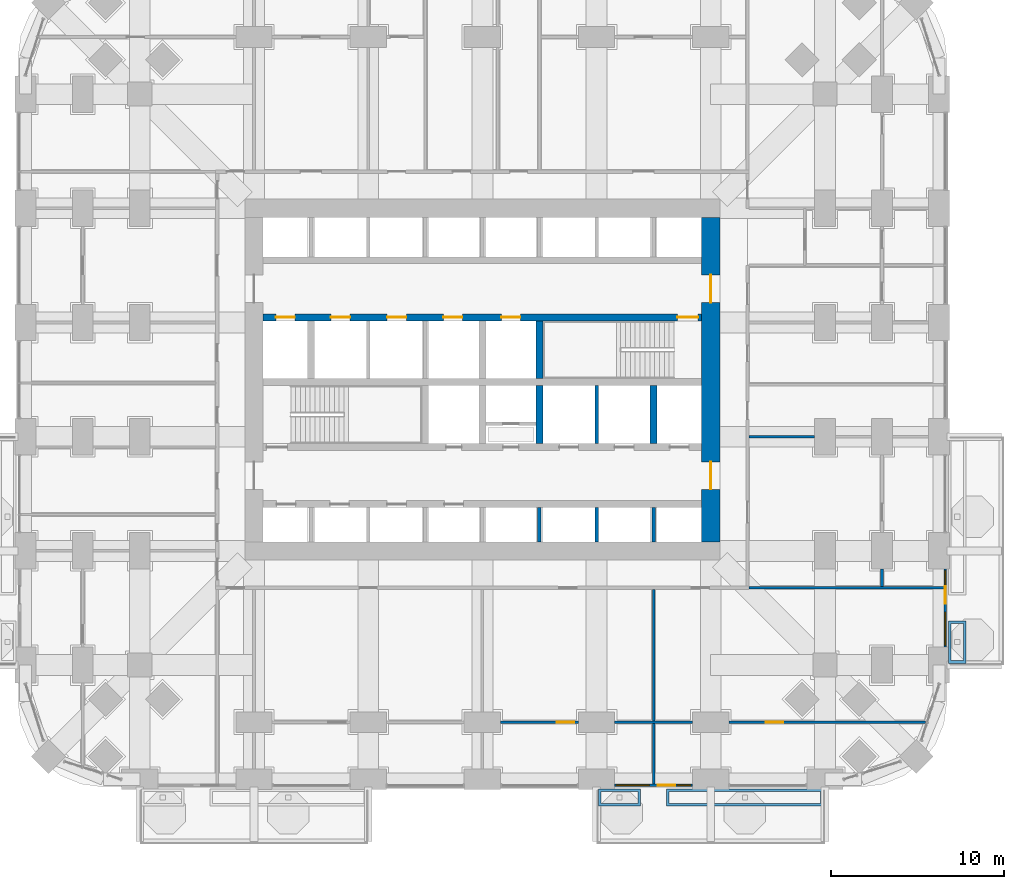
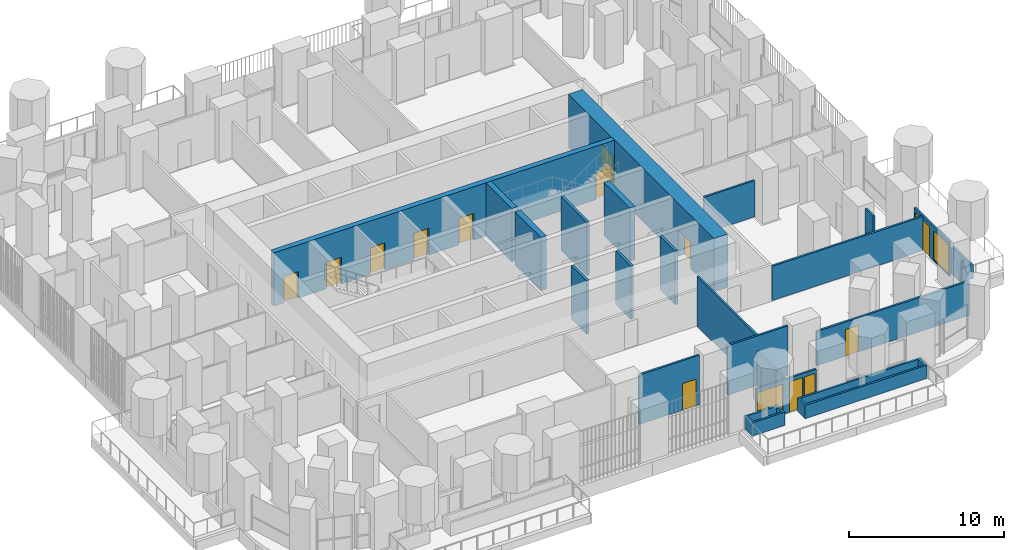
# One storey, part 20 of 27: 22 walls, 12 doors, 4 windows, 16 openings.
"""IFC4 building model written with IfcOpenShell, lengths in metres."""

from ifc_helpers import new_model, si_unit, direction, frame, frame_2d, origin, place, context, subcontext, project, spatial, polyline, rectangle, outline, extrude, material, layer, layer_set, type_object, element, fill, save


model = new_model("IFC4")

# Units and contexts
model_context = context("Model", 3, precision=1e-05, world=origin(), true_north=direction((0.0, 1.0)))
body_context = subcontext(model_context, "Body", "Model", "MODEL_VIEW")
ifc_project = project(units=[si_unit("LENGTHUNIT", "METRE"), si_unit("AREAUNIT", "SQUARE_METRE"), si_unit("VOLUMEUNIT", "CUBIC_METRE"), si_unit("PLANEANGLEUNIT", "RADIAN"), si_unit("MASSUNIT", "GRAM", prefix="KILO")], contexts=[model_context])

# Site, building, storey
site_placement = place(None, origin())
site = spatial("IfcSite", under=ifc_project, at=site_placement, CompositionType="ELEMENT")
building_placement = place(site_placement, origin())
building = spatial("IfcBuilding", under=site, at=building_placement, Name="Cobogo Forest Laboratory Tower", CompositionType="ELEMENT")
storey_placement = place(building_placement, frame((0.0, 0.0, 29.699951171875)))
storey = spatial("IfcBuildingStorey", under=building, at=storey_placement, Name="L06", CompositionType="ELEMENT", Elevation=29.699951171875)

# Wall, openings, doors
ifc_material_1 = material(Name="Concrete HA-50 (C50/60)", Category="concrete")
ifc_layer_1 = layer(ifc_material_1, 0.39990234375)
ifc_layer_set_1 = layer_set([ifc_layer_1], Name="CI400 core inner wall 400")
wall_type_1 = type_object("IfcWallType", Name="CI400 core inner wall 400", PredefinedType="SHEAR", material=ifc_layer_set_1)
wall_1_placement = place(storey_placement, frame((13.72509765625, 26.699951171875, 0.0), z_axis=(0.0, 0.0, 1.0), x_axis=(1.0, 0.0, 0.0)))
wall_1 = element("IfcWall", 1, at=wall_1_placement, inside=storey, type_object=wall_type_1, Name="Core wall CI-26.7 L06", PredefinedType="SHEAR", context=body_context, shape_type="SweptSolid", body=[
    extrude(rectangle(XDim=25.349853515625, YDim=0.39990234375, at=frame_2d((12.6748046875, 0.0))), origin(), (0.0, 0.0, 1.0), 4.199951171875),
])
opening_1_placement = place(wall_1_placement, frame((23.949951171875, 0.0, 0.0)))
opening_1 = element("IfcOpeningElement", 2, at=opening_1_placement, cuts=wall_1, Name="Opening L06-D28", PredefinedType="OPENING", context=body_context, shape_type="SweptSolid", body=[
    extrude(rectangle(XDim=1.199951171875, YDim=2.10009765625, at=frame_2d((0.60009765625, 1.050048828125))), frame((0.0, 0.2099609375, 0.0), z_axis=(0.0, -1.0, 0.0), x_axis=(1.0, 0.0, 0.0)), (0.0, 0.0, 1.0), 0.419921875),
])
opening_2_placement = place(wall_1_placement, frame((0.737548828125, 0.0, 0.0)))
opening_2 = element("IfcOpeningElement", 3, at=opening_2_placement, cuts=wall_1, Name="Opening L06-LD-FL1", PredefinedType="OPENING", context=body_context, shape_type="SweptSolid", body=[
    extrude(rectangle(XDim=1.10009765625, YDim=2.10009765625, at=frame_2d((0.550048828125, 1.050048828125))), frame((0.0, 0.2099609375, 0.0), z_axis=(0.0, -1.0, 0.0), x_axis=(1.0, 0.0, 0.0)), (0.0, 0.0, 1.0), 0.419921875),
])
opening_3_placement = place(wall_1_placement, frame((3.925048828125, 0.0, 0.0)))
opening_3 = element("IfcOpeningElement", 4, at=opening_3_placement, cuts=wall_1, Name="Opening L06-LD-LS3", PredefinedType="OPENING", context=body_context, shape_type="SweptSolid", body=[
    extrude(rectangle(XDim=1.10009765625, YDim=2.10009765625, at=frame_2d((0.550048828125, 1.050048828125))), frame((0.0, 0.2099609375, 0.0), z_axis=(0.0, -1.0, 0.0), x_axis=(1.0, 0.0, 0.0)), (0.0, 0.0, 1.0), 0.419921875),
])
opening_4_placement = place(wall_1_placement, frame((7.175048828125, 0.0, 0.0)))
opening_4 = element("IfcOpeningElement", 5, at=opening_4_placement, cuts=wall_1, Name="Opening L06-LD-LS4", PredefinedType="OPENING", context=body_context, shape_type="SweptSolid", body=[
    extrude(rectangle(XDim=1.10009765625, YDim=2.10009765625, at=frame_2d((0.550048828125, 1.050048828125))), frame((0.0, 0.2099609375, 0.0), z_axis=(0.0, -1.0, 0.0), x_axis=(1.0, 0.0, 0.0)), (0.0, 0.0, 1.0), 0.419921875),
])
opening_5_placement = place(wall_1_placement, frame((10.425048828125, 0.0, 0.0)))
opening_5 = element("IfcOpeningElement", 6, at=opening_5_placement, cuts=wall_1, Name="Opening L06-LD-LS5", PredefinedType="OPENING", context=body_context, shape_type="SweptSolid", body=[
    extrude(rectangle(XDim=1.10009765625, YDim=2.10009765625, at=frame_2d((0.550048828125, 1.050048828125))), frame((0.0, 0.2099609375, 0.0), z_axis=(0.0, -1.0, 0.0), x_axis=(1.0, 0.0, 0.0)), (0.0, 0.0, 1.0), 0.419921875),
])
opening_6_placement = place(wall_1_placement, frame((13.77490234375, 0.0, 0.0)))
opening_6 = element("IfcOpeningElement", 7, at=opening_6_placement, cuts=wall_1, Name="Opening L06-LD-LS6", PredefinedType="OPENING", context=body_context, shape_type="SweptSolid", body=[
    extrude(rectangle(XDim=1.10009765625, YDim=2.10009765625, at=frame_2d((0.550048828125, 1.050048828125))), frame((0.0, 0.2099609375, 0.0), z_axis=(0.0, -1.0, 0.0), x_axis=(1.0, 0.0, 0.0)), (0.0, 0.0, 1.0), 0.419921875),
])
ifc_material_2 = material(Name="Steel fire door", Category="steel")
door_type_1 = type_object("IfcDoorType", Name="DS1 protected stair door 1200 EI2 60", OperationType="SINGLE_SWING_LEFT", PredefinedType="DOOR", material=ifc_material_2)
door_1_placement = place(opening_1_placement, origin())
door_1 = element("IfcDoor", 8, at=door_1_placement, inside=storey, type_object=door_type_1, Name="Door L06-ST2", OperationType="SINGLE_SWING_RIGHT", OverallHeight=2.10009765625, OverallWidth=1.199951171875, PredefinedType="DOOR", context=body_context, shape_type="SweptSolid", body=[
    extrude(rectangle(XDim=1.199951171875, YDim=2.10009765625, at=frame_2d((0.60009765625, 1.050048828125))), frame((0.0, 0.02490234375, 0.0), z_axis=(0.0, -1.0, 0.0), x_axis=(1.0, 0.0, 0.0)), (0.0, 0.0, 1.0), 0.050048828125),
])
fill(opening_1, door_1)
ifc_material_3 = material(Name="Stainless steel lift door", Category="steel")
door_type_2 = type_object("IfcDoorType", Name="LD lift landing door 1100", OperationType="DOUBLE_DOOR_SLIDING", PredefinedType="DOOR", material=ifc_material_3)
door_2_placement = place(opening_2_placement, origin())
door_2 = element("IfcDoor", 9, at=door_2_placement, inside=storey, type_object=door_type_2, Name="Lift landing door FL1 L06", OperationType="DOUBLE_DOOR_SLIDING", OverallHeight=2.10009765625, OverallWidth=1.10009765625, PredefinedType="DOOR", context=body_context, shape_type="SweptSolid", body=[
    extrude(rectangle(XDim=1.10009765625, YDim=2.10009765625, at=frame_2d((0.550048828125, 1.050048828125))), frame((0.0, 0.02490234375, 0.0), z_axis=(0.0, -1.0, 0.0), x_axis=(1.0, 0.0, 0.0)), (0.0, 0.0, 1.0), 0.050048828125),
])
fill(opening_2, door_2)
door_3_placement = place(opening_3_placement, origin())
door_3 = element("IfcDoor", 10, at=door_3_placement, inside=storey, type_object=door_type_2, Name="Lift landing door LS3 L06", OperationType="DOUBLE_DOOR_SLIDING", OverallHeight=2.10009765625, OverallWidth=1.10009765625, PredefinedType="DOOR", context=body_context, shape_type="SweptSolid", body=[
    extrude(rectangle(XDim=1.10009765625, YDim=2.10009765625, at=frame_2d((0.550048828125, 1.050048828125))), frame((0.0, 0.02490234375, 0.0), z_axis=(0.0, -1.0, 0.0), x_axis=(1.0, 0.0, 0.0)), (0.0, 0.0, 1.0), 0.050048828125),
])
fill(opening_3, door_3)
door_4_placement = place(opening_4_placement, origin())
door_4 = element("IfcDoor", 11, at=door_4_placement, inside=storey, type_object=door_type_2, Name="Lift landing door LS4 L06", OperationType="DOUBLE_DOOR_SLIDING", OverallHeight=2.10009765625, OverallWidth=1.10009765625, PredefinedType="DOOR", context=body_context, shape_type="SweptSolid", body=[
    extrude(rectangle(XDim=1.10009765625, YDim=2.10009765625, at=frame_2d((0.550048828125, 1.050048828125))), frame((0.0, 0.02490234375, 0.0), z_axis=(0.0, -1.0, 0.0), x_axis=(1.0, 0.0, 0.0)), (0.0, 0.0, 1.0), 0.050048828125),
])
fill(opening_4, door_4)
door_5_placement = place(opening_5_placement, origin())
door_5 = element("IfcDoor", 12, at=door_5_placement, inside=storey, type_object=door_type_2, Name="Lift landing door LS5 L06", OperationType="DOUBLE_DOOR_SLIDING", OverallHeight=2.10009765625, OverallWidth=1.10009765625, PredefinedType="DOOR", context=body_context, shape_type="SweptSolid", body=[
    extrude(rectangle(XDim=1.10009765625, YDim=2.10009765625, at=frame_2d((0.550048828125, 1.050048828125))), frame((0.0, 0.02490234375, 0.0), z_axis=(0.0, -1.0, 0.0), x_axis=(1.0, 0.0, 0.0)), (0.0, 0.0, 1.0), 0.050048828125),
])
fill(opening_5, door_5)
door_6_placement = place(opening_6_placement, origin())
door_6 = element("IfcDoor", 13, at=door_6_placement, inside=storey, type_object=door_type_2, Name="Lift landing door LS6 L06", OperationType="DOUBLE_DOOR_SLIDING", OverallHeight=2.10009765625, OverallWidth=1.10009765625, PredefinedType="DOOR", context=body_context, shape_type="SweptSolid", body=[
    extrude(rectangle(XDim=1.10009765625, YDim=2.10009765625, at=frame_2d((0.550048828125, 1.050048828125))), frame((0.0, 0.02490234375, 0.0), z_axis=(0.0, -1.0, 0.0), x_axis=(1.0, 0.0, 0.0)), (0.0, 0.0, 1.0), 0.050048828125),
])
fill(opening_6, door_6)

# Walls
for number, where, z_axis, x_axis, name in (
    (14, (29.699951171875, 19.39990234375, 0.0), (0.0, 0.0, 1.0), (0.0, 1.0, 0.0), "Core wall CX-29.7S L06"),
    (15, (36.300048828125, 19.39990234375, 0.0), (0.0, 0.0, 1.0), (0.0, 1.0, 0.0), "Core wall CX-36.3 L06"),
    (16, (29.699951171875, 23.14990234375, 0.0), (0.0, 0.0, 1.0), (0.0, 1.0, 0.0), "Core wall CX-29.7N L06"),
):
    element("IfcWall", number, at=place(storey_placement, frame(where, z_axis=z_axis, x_axis=x_axis)), inside=storey, type_object=wall_type_1, Name=name, PredefinedType="SHEAR", context=body_context, shape_type="SweptSolid", body=[
        extrude(rectangle(XDim=3.35009765625, YDim=0.39990234375, at=frame_2d((1.675048828125, 0.0))), origin(), (0.0, 0.0, 1.0), 4.199951171875),
    ])

# Wall, openings, doors
ifc_layer_2 = layer(ifc_material_1, 1.050048828125)
ifc_layer_set_2 = layer_set([ifc_layer_2], Name="CW1050 core outer wall 1050")
wall_type_2 = type_object("IfcWallType", Name="CW1050 core outer wall 1050", PredefinedType="SHEAR", material=ifc_layer_set_2)
wall_2_placement = place(storey_placement, frame((39.60009765625, 13.72509765625, 0.0), z_axis=(0.0, 0.0, 1.0), x_axis=(0.0, 1.0, 0.0)))
wall_2 = element("IfcWall", 17, at=wall_2_placement, inside=storey, type_object=wall_type_2, Name="Core wall CO-E L06", PredefinedType="SHEAR", context=body_context, shape_type="SweptSolid", body=[
    extrude(rectangle(XDim=18.75, YDim=1.050048828125, at=frame_2d((9.375, 0.0))), origin(), (0.0, 0.0, 1.0), 4.199951171875),
])
opening_7_placement = place(wall_2_placement, frame((3.02490234375, 0.0, 0.0)))
opening_7 = element("IfcOpeningElement", 18, at=opening_7_placement, cuts=wall_2, Name="Opening L06-D19", PredefinedType="OPENING", context=body_context, shape_type="SweptSolid", body=[
    extrude(rectangle(XDim=1.60009765625, YDim=2.10009765625, at=frame_2d((0.800048828125, 1.050048828125))), frame((0.0, 0.534912109375, 0.0), z_axis=(0.0, -1.0, 0.0), x_axis=(1.0, 0.0, 0.0)), (0.0, 0.0, 1.0), 1.070068359375),
])
opening_8_placement = place(wall_2_placement, frame((13.824951171875, 0.0, 0.0)))
opening_8 = element("IfcOpeningElement", 19, at=opening_8_placement, cuts=wall_2, Name="Opening L06-D32", PredefinedType="OPENING", context=body_context, shape_type="SweptSolid", body=[
    extrude(rectangle(XDim=1.60009765625, YDim=2.10009765625, at=frame_2d((0.800048828125, 1.050048828125))), frame((0.0, 0.534912109375, 0.0), z_axis=(0.0, -1.0, 0.0), x_axis=(1.0, 0.0, 0.0)), (0.0, 0.0, 1.0), 1.070068359375),
])
door_type_3 = type_object("IfcDoorType", Name="DS2 protected lobby door pair 1600 EI2 60", OperationType="DOUBLE_DOOR_DOUBLE_SWING", PredefinedType="DOOR", material=ifc_material_2)
door_7_placement = place(opening_7_placement, origin())
door_7 = element("IfcDoor", 20, at=door_7_placement, inside=storey, type_object=door_type_3, Name="Door L06-CO-E-S", OperationType="DOUBLE_DOOR_DOUBLE_SWING", OverallHeight=2.10009765625, OverallWidth=1.60009765625, PredefinedType="DOOR", context=body_context, shape_type="SweptSolid", body=[
    extrude(rectangle(XDim=1.60009765625, YDim=2.10009765625, at=frame_2d((0.800048828125, 1.050048828125))), frame((0.0, 0.02490234375, 0.0), z_axis=(0.0, -1.0, 0.0), x_axis=(1.0, 0.0, 0.0)), (0.0, 0.0, 1.0), 0.050048828125),
])
fill(opening_7, door_7)
door_8_placement = place(opening_8_placement, origin())
door_8 = element("IfcDoor", 21, at=door_8_placement, inside=storey, type_object=door_type_3, Name="Door L06-CO-E-N", OperationType="DOUBLE_DOOR_DOUBLE_SWING", OverallHeight=2.10009765625, OverallWidth=1.60009765625, PredefinedType="DOOR", context=body_context, shape_type="SweptSolid", body=[
    extrude(rectangle(XDim=1.60009765625, YDim=2.10009765625, at=frame_2d((0.800048828125, 1.050048828125))), frame((0.0, 0.02490234375, 0.0), z_axis=(0.0, -1.0, 0.0), x_axis=(1.0, 0.0, 0.0)), (0.0, 0.0, 1.0), 0.050048828125),
])
fill(opening_8, door_8)

# Wall, openings, door, windows
ifc_material_4 = material(Name="Aluminium framed glazed screen", Category="aluminium")
ifc_layer_3 = layer(ifc_material_4, 0.14990234375)
ifc_layer_set_3 = layer_set([ifc_layer_3], Name="GS1 glazed door screen 150")
wall_type_3 = type_object("IfcWallType", Name="GS1 glazed door screen 150", PredefinedType="SOLIDWALL", material=ifc_layer_set_3)
wall_3_placement = place(storey_placement, frame((34.050048828125, -0.35009765625, 0.0), z_axis=(0.0, 0.0, 1.0), x_axis=(1.0, 0.0, 0.0)))
wall_3 = element("IfcWall", 22, at=wall_3_placement, inside=storey, type_object=wall_type_3, Name="Door screen BAL-S2 L06", PredefinedType="SOLIDWALL", context=body_context, shape_type="SweptSolid", body=[
    extrude(rectangle(XDim=4.5, YDim=0.14990234375, at=frame_2d((2.25, 0.0))), origin(), (0.0, 0.0, 1.0), 2.699951171875),
])
opening_9_placement = place(wall_3_placement, frame((2.5, 0.0, 0.0)))
opening_9 = element("IfcOpeningElement", 23, at=opening_9_placement, cuts=wall_3, Name="Opening L06-D02", PredefinedType="OPENING", context=body_context, shape_type="SweptSolid", body=[
    extrude(rectangle(XDim=1.0, YDim=2.39990234375, at=frame_2d((0.5, 1.199951171875))), frame((0.0, 0.0849609375, 0.0), z_axis=(0.0, -1.0, 0.0), x_axis=(1.0, 0.0, 0.0)), (0.0, 0.0, 1.0), 0.169921875),
])
opening_10_placement = place(wall_3_placement, frame((0.10009765625, 0.0, 0.10009765625)))
opening_10 = element("IfcOpeningElement", 24, at=opening_10_placement, cuts=wall_3, Name="Opening L06-W03", PredefinedType="OPENING", context=body_context, shape_type="SweptSolid", body=[
    extrude(rectangle(XDim=1.89990234375, YDim=2.300048828125, at=frame_2d((0.949951171875, 1.14990234375))), frame((0.0, 0.0849609375, 0.0), z_axis=(0.0, -1.0, 0.0), x_axis=(1.0, 0.0, 0.0)), (0.0, 0.0, 1.0), 0.169921875),
])
opening_11_placement = place(wall_3_placement, frame((3.60009765625, 0.0, 0.10009765625)))
opening_11 = element("IfcOpeningElement", 25, at=opening_11_placement, cuts=wall_3, Name="Opening L06-W04", PredefinedType="OPENING", context=body_context, shape_type="SweptSolid", body=[
    extrude(rectangle(XDim=0.800048828125, YDim=2.300048828125, at=frame_2d((0.39990234375, 1.14990234375))), frame((0.0, 0.0849609375, 0.0), z_axis=(0.0, -1.0, 0.0), x_axis=(1.0, 0.0, 0.0)), (0.0, 0.0, 1.0), 0.169921875),
])
ifc_material_5 = material(Name="Aluminium glazed door", Category="aluminium")
door_type_4 = type_object("IfcDoorType", Name="DB1 balcony door 1000 glazed", OperationType="SINGLE_SWING_LEFT", PredefinedType="DOOR", material=ifc_material_5)
door_9_placement = place(opening_9_placement, origin())
door_9 = element("IfcDoor", 26, at=door_9_placement, inside=storey, type_object=door_type_4, Name="Door L06-BAL-S2", OperationType="SINGLE_SWING_RIGHT", OverallHeight=2.39990234375, OverallWidth=1.0, PredefinedType="DOOR", context=body_context, shape_type="SweptSolid", body=[
    extrude(rectangle(XDim=1.0, YDim=2.39990234375, at=frame_2d((0.5, 1.199951171875))), frame((0.0, 0.02490234375, 0.0), z_axis=(0.0, -1.0, 0.0), x_axis=(1.0, 0.0, 0.0)), (0.0, 0.0, 1.0), 0.050048828125),
])
fill(opening_9, door_9)
ifc_material_6 = material(Name="Aluminium framed glazing", Category="aluminium")
window_type_1 = type_object("IfcWindowType", Name="WG3 fixed glazed light 1900x2300", PartitioningType="SINGLE_PANEL", PredefinedType="WINDOW", material=ifc_material_6)
window_1_placement = place(opening_10_placement, origin())
window_1 = element("IfcWindow", 27, at=window_1_placement, inside=storey, type_object=window_type_1, Name="Window L06-BAL-S2-1", OverallHeight=2.300048828125, OverallWidth=1.89990234375, PartitioningType="SINGLE_PANEL", PredefinedType="WINDOW", context=body_context, shape_type="SweptSolid", body=[
    extrude(rectangle(XDim=1.89990234375, YDim=2.300048828125, at=frame_2d((0.949951171875, 1.14990234375))), frame((0.0, 0.030029296875, 0.0), z_axis=(0.0, -1.0, 0.0), x_axis=(1.0, 0.0, 0.0)), (0.0, 0.0, 1.0), 0.06005859375),
])
fill(opening_10, window_1)
window_type_2 = type_object("IfcWindowType", Name="WG4 fixed glazed light 800x2300", PartitioningType="SINGLE_PANEL", PredefinedType="WINDOW", material=ifc_material_6)
window_2_placement = place(opening_11_placement, origin())
window_2 = element("IfcWindow", 28, at=window_2_placement, inside=storey, type_object=window_type_2, Name="Window L06-BAL-S2-2", OverallHeight=2.300048828125, OverallWidth=0.800048828125, PartitioningType="SINGLE_PANEL", PredefinedType="WINDOW", context=body_context, shape_type="SweptSolid", body=[
    extrude(rectangle(XDim=0.800048828125, YDim=2.300048828125, at=frame_2d((0.39990234375, 1.14990234375))), frame((0.0, 0.030029296875, 0.0), z_axis=(0.0, -1.0, 0.0), x_axis=(1.0, 0.0, 0.0)), (0.0, 0.0, 1.0), 0.06005859375),
])
fill(opening_11, window_2)

wall_4_placement = place(storey_placement, frame((53.14990234375, 7.64990234375, 0.0), z_axis=(0.0, 0.0, 1.0), x_axis=(0.0, 1.0, 0.0)))
wall_4 = element("IfcWall", 29, at=wall_4_placement, inside=storey, type_object=wall_type_3, Name="Door screen BAL-E1 L06", PredefinedType="SOLIDWALL", context=body_context, shape_type="SweptSolid", body=[
    extrude(rectangle(XDim=4.5, YDim=0.14990234375, at=frame_2d((2.25, 0.0))), origin(), (0.0, 0.0, 1.0), 2.699951171875),
])
opening_12_placement = place(wall_4_placement, frame((2.5, 0.0, 0.0)))
opening_12 = element("IfcOpeningElement", 30, at=opening_12_placement, cuts=wall_4, Name="Opening L06-D08", PredefinedType="OPENING", context=body_context, shape_type="SweptSolid", body=[
    extrude(rectangle(XDim=1.0, YDim=2.39990234375, at=frame_2d((0.5, 1.199951171875))), frame((0.0, 0.0849609375, 0.0), z_axis=(0.0, -1.0, 0.0), x_axis=(1.0, 0.0, 0.0)), (0.0, 0.0, 1.0), 0.169921875),
])
opening_13_placement = place(wall_4_placement, frame((0.10009765625, 0.0, 0.10009765625)))
opening_13 = element("IfcOpeningElement", 31, at=opening_13_placement, cuts=wall_4, Name="Opening L06-W06", PredefinedType="OPENING", context=body_context, shape_type="SweptSolid", body=[
    extrude(rectangle(XDim=1.89990234375, YDim=2.300048828125, at=frame_2d((0.949951171875, 1.14990234375))), frame((0.0, 0.0849609375, 0.0), z_axis=(0.0, -1.0, 0.0), x_axis=(1.0, 0.0, 0.0)), (0.0, 0.0, 1.0), 0.169921875),
])
opening_14_placement = place(wall_4_placement, frame((3.60009765625, 0.0, 0.10009765625)))
opening_14 = element("IfcOpeningElement", 32, at=opening_14_placement, cuts=wall_4, Name="Opening L06-W08", PredefinedType="OPENING", context=body_context, shape_type="SweptSolid", body=[
    extrude(rectangle(XDim=0.800048828125, YDim=2.300048828125, at=frame_2d((0.39990234375, 1.14990234375))), frame((0.0, 0.0849609375, 0.0), z_axis=(0.0, -1.0, 0.0), x_axis=(1.0, 0.0, 0.0)), (0.0, 0.0, 1.0), 0.169921875),
])
door_10_placement = place(opening_12_placement, origin())
door_10 = element("IfcDoor", 33, at=door_10_placement, inside=storey, type_object=door_type_4, Name="Door L06-BAL-E1", OperationType="SINGLE_SWING_RIGHT", OverallHeight=2.39990234375, OverallWidth=1.0, PredefinedType="DOOR", context=body_context, shape_type="SweptSolid", body=[
    extrude(rectangle(XDim=1.0, YDim=2.39990234375, at=frame_2d((0.5, 1.199951171875))), frame((0.0, 0.02490234375, 0.0), z_axis=(0.0, -1.0, 0.0), x_axis=(1.0, 0.0, 0.0)), (0.0, 0.0, 1.0), 0.050048828125),
])
fill(opening_12, door_10)
window_3_placement = place(opening_13_placement, origin())
window_3 = element("IfcWindow", 34, at=window_3_placement, inside=storey, type_object=window_type_1, Name="Window L06-BAL-E1-1", OverallHeight=2.300048828125, OverallWidth=1.89990234375, PartitioningType="SINGLE_PANEL", PredefinedType="WINDOW", context=body_context, shape_type="SweptSolid", body=[
    extrude(rectangle(XDim=1.89990234375, YDim=2.300048828125, at=frame_2d((0.949951171875, 1.14990234375))), frame((0.0, 0.030029296875, 0.0), z_axis=(0.0, -1.0, 0.0), x_axis=(1.0, 0.0, 0.0)), (0.0, 0.0, 1.0), 0.06005859375),
])
fill(opening_13, window_3)
window_4_placement = place(opening_14_placement, origin())
window_4 = element("IfcWindow", 35, at=window_4_placement, inside=storey, type_object=window_type_2, Name="Window L06-BAL-E1-2", OverallHeight=2.300048828125, OverallWidth=0.800048828125, PartitioningType="SINGLE_PANEL", PredefinedType="WINDOW", context=body_context, shape_type="SweptSolid", body=[
    extrude(rectangle(XDim=0.800048828125, YDim=2.300048828125, at=frame_2d((0.39990234375, 1.14990234375))), frame((0.0, 0.030029296875, 0.0), z_axis=(0.0, -1.0, 0.0), x_axis=(1.0, 0.0, 0.0)), (0.0, 0.0, 1.0), 0.06005859375),
])
fill(opening_14, window_4)

# Wall
ifc_material_7 = material(Name="Gypsum board on steel studs", Category="steel")
ifc_layer_4 = layer(ifc_material_7, 0.14990234375)
ifc_layer_set_4 = layer_set([ifc_layer_4], Name="PT1 laboratory partition 150")
wall_type_4 = type_object("IfcWallType", Name="PT1 laboratory partition 150", PredefinedType="PARTITIONING", material=ifc_layer_set_4)
wall_5_placement = place(storey_placement, frame((53.070068359375, 11.074951171875, 0.0), z_axis=(0.0, 0.0, 1.0), x_axis=(-1.0, 0.0, 0.0)))
element("IfcWall", 36, at=wall_5_placement, inside=storey, type_object=wall_type_4, Name="Partition PW-SE L06", PredefinedType="PARTITIONING", context=body_context, shape_type="SweptSolid", body=[
    extrude(rectangle(XDim=11.2451171875, YDim=0.14990234375, at=frame_2d((5.62255859375, 0.0))), origin(), (0.0, 0.0, 1.0), 2.699951171875),
])

# Wall, opening, door
wall_6_placement = place(storey_placement, frame((27.449951171875, 3.300048828125, 0.0), z_axis=(0.0, 0.0, 1.0), x_axis=(1.0, 0.0, 0.0)))
wall_6 = element("IfcWall", 37, at=wall_6_placement, inside=storey, type_object=wall_type_4, Name="Partition STRIP-S-3 L06", PredefinedType="PARTITIONING", context=body_context, shape_type="SweptSolid", body=[
    extrude(rectangle(XDim=4.5, YDim=0.14990234375, at=frame_2d((2.25, 0.0))), origin(), (0.0, 0.0, 1.0), 3.900146484375),
])
opening_15_placement = place(wall_6_placement, frame((3.25, 0.0, 0.0)))
opening_15 = element("IfcOpeningElement", 38, at=opening_15_placement, cuts=wall_6, Name="Opening L06-D04", PredefinedType="OPENING", context=body_context, shape_type="SweptSolid", body=[
    extrude(rectangle(XDim=1.0, YDim=2.10009765625, at=frame_2d((0.5, 1.050048828125))), frame((0.0, 0.0849609375, 0.0), z_axis=(0.0, -1.0, 0.0), x_axis=(1.0, 0.0, 0.0)), (0.0, 0.0, 1.0), 0.169921875),
])
ifc_material_8 = material(Name="Timber fire door", Category="wood")
door_type_5 = type_object("IfcDoorType", Name="FD2 fire door 1000 EI2 30", OperationType="SINGLE_SWING_LEFT", PredefinedType="DOOR", material=ifc_material_8)
door_11_placement = place(opening_15_placement, origin())
door_11 = element("IfcDoor", 39, at=door_11_placement, inside=storey, type_object=door_type_5, Name="Door L06-S3W", OperationType="SINGLE_SWING_RIGHT", OverallHeight=2.10009765625, OverallWidth=1.0, PredefinedType="DOOR", context=body_context, shape_type="SweptSolid", body=[
    extrude(rectangle(XDim=1.0, YDim=2.10009765625, at=frame_2d((0.5, 1.050048828125))), frame((0.0, 0.02490234375, 0.0), z_axis=(0.0, -1.0, 0.0), x_axis=(1.0, 0.0, 0.0)), (0.0, 0.0, 1.0), 0.050048828125),
])
fill(opening_15, door_11)

# Wall
wall_7_placement = place(storey_placement, frame((34.050048828125, 3.300048828125, 0.0), z_axis=(0.0, 0.0, 1.0), x_axis=(1.0, 0.0, 0.0)))
element("IfcWall", 40, at=wall_7_placement, inside=storey, type_object=wall_type_4, Name="Partition STRIP-S-4 L06", PredefinedType="PARTITIONING", context=body_context, shape_type="SweptSolid", body=[
    extrude(rectangle(XDim=4.5, YDim=0.14990234375, at=frame_2d((2.25, 0.0))), origin(), (0.0, 0.0, 1.0), 3.900146484375),
])

# Wall, opening, door
wall_8_placement = place(storey_placement, frame((40.64990234375, 3.300048828125, 0.0), z_axis=(0.0, 0.0, 1.0), x_axis=(1.0, 0.0, 0.0)))
wall_8 = element("IfcWall", 41, at=wall_8_placement, inside=storey, type_object=wall_type_4, Name="Partition STRIP-S-5 L06", PredefinedType="PARTITIONING", context=body_context, shape_type="SweptSolid", body=[
    extrude(rectangle(XDim=11.3740234375, YDim=0.14990234375, at=frame_2d((5.68701171875, 0.0))), origin(), (0.0, 0.0, 1.0), 2.699951171875),
])
opening_16_placement = place(wall_8_placement, frame((2.14208984375, 0.0, 0.0)))
opening_16 = element("IfcOpeningElement", 42, at=opening_16_placement, cuts=wall_8, Name="Opening L06-D05", PredefinedType="OPENING", context=body_context, shape_type="SweptSolid", body=[
    extrude(rectangle(XDim=1.0, YDim=2.10009765625, at=frame_2d((0.5, 1.050048828125))), frame((0.0, 0.0849609375, 0.0), z_axis=(0.0, -1.0, 0.0), x_axis=(1.0, 0.0, 0.0)), (0.0, 0.0, 1.0), 0.169921875),
])
door_12_placement = place(opening_16_placement, origin())
door_12 = element("IfcDoor", 43, at=door_12_placement, inside=storey, type_object=door_type_5, Name="Door L06-S4W", OperationType="SINGLE_SWING_LEFT", OverallHeight=2.10009765625, OverallWidth=1.0, PredefinedType="DOOR", context=body_context, shape_type="SweptSolid", body=[
    extrude(rectangle(XDim=1.0, YDim=2.10009765625, at=frame_2d((0.5, 1.050048828125))), frame((0.0, 0.02490234375, 0.0), z_axis=(0.0, -1.0, 0.0), x_axis=(1.0, 0.0, 0.0)), (0.0, 0.0, 1.0), 0.050048828125),
])
fill(opening_16, door_12)

# Walls
wall_9_placement = place(storey_placement, frame((36.300048828125, -0.27001953125, 0.0), z_axis=(0.0, 0.0, 1.0), x_axis=(0.0, 1.0, 0.0)))
element("IfcWall", 44, at=wall_9_placement, inside=storey, type_object=wall_type_4, Name="Partition CUT-S36.3a-1 L06", PredefinedType="PARTITIONING", context=body_context, shape_type="SweptSolid", body=[
    extrude(rectangle(XDim=3.4951171875, YDim=0.14990234375, at=frame_2d((1.74755859375, 0.0))), origin(), (0.0, 0.0, 1.0), 2.699951171875),
])
wall_10_placement = place(storey_placement, frame((36.300048828125, 3.375, 0.0), z_axis=(0.0, 0.0, 1.0), x_axis=(0.0, 1.0, 0.0)))
element("IfcWall", 45, at=wall_10_placement, inside=storey, type_object=wall_type_4, Name="Partition CUT-S36.3b-1 L06", PredefinedType="PARTITIONING", context=body_context, shape_type="SweptSolid", body=[
    extrude(rectangle(XDim=7.60009765625, YDim=0.14990234375, at=frame_2d((3.800048828125, 0.0))), origin(), (0.0, 0.0, 1.0), 3.900146484375),
])
wall_11_placement = place(storey_placement, frame((49.5, 11.14990234375, 0.0), z_axis=(0.0, 0.0, 1.0), x_axis=(0.0, 1.0, 0.0)))
element("IfcWall", 46, at=wall_11_placement, inside=storey, type_object=wall_type_4, Name="Partition STRIP-E-1 L06", PredefinedType="PARTITIONING", context=body_context, shape_type="SweptSolid", body=[
    extrude(rectangle(XDim=1.0, YDim=0.14990234375, at=frame_2d((0.5, 0.0))), origin(), (0.0, 0.0, 1.0), 3.900146484375),
])
wall_12_placement = place(storey_placement, frame((45.60009765625, 19.800048828125, 0.0), z_axis=(0.0, 0.0, 1.0), x_axis=(-1.0, 0.0, 0.0)))
element("IfcWall", 47, at=wall_12_placement, inside=storey, type_object=wall_type_4, Name="Partition CUT-E19.8-3 L06", PredefinedType="PARTITIONING", context=body_context, shape_type="SweptSolid", body=[
    extrude(rectangle(XDim=3.775146484375, YDim=0.14990234375, at=frame_2d((1.8876953125, 0.0))), origin(), (0.0, 0.0, 1.0), 2.85009765625),
])
ifc_material_9 = material(Name="Concrete HA-40 (C40/50)", Category="concrete")
ifc_layer_5 = layer(ifc_material_9, 0.14990234375)
ifc_layer_set_5 = layer_set([ifc_layer_5], Name="Planter box 1000x1050")
wall_type_5 = type_object("IfcWallType", Name="Planter box 1000x1050", PredefinedType="USERDEFINED", material=ifc_layer_set_5)
wall_13_placement = place(storey_placement, origin())
element("IfcWall", 48, at=wall_13_placement, inside=storey, type_object=wall_type_5, Name="Planter BAL-S2-1 L06", ObjectType="PLANTER", PredefinedType="USERDEFINED", context=body_context, shape_type="SweptSolid", body=[
    extrude(outline(polyline([(33.10009765625, -1.550048828125), (35.550048828125, -1.550048828125), (35.550048828125, -0.550048828125), (33.10009765625, -0.550048828125), (33.10009765625, -1.550048828125)]), holes=[polyline([(33.25, -1.39990234375), (35.39990234375, -1.39990234375), (35.39990234375, -0.699951171875), (33.25, -0.699951171875), (33.25, -1.39990234375)])]), origin(), (0.0, 0.0, 1.0), 1.050048828125),
])
wall_14_placement = place(storey_placement, origin())
element("IfcWall", 49, at=wall_14_placement, inside=storey, type_object=wall_type_5, Name="Planter BAL-S2-2 L06", ObjectType="PLANTER", PredefinedType="USERDEFINED", context=body_context, shape_type="SweptSolid", body=[
    extrude(outline(polyline([(37.050048828125, -1.550048828125), (46.10009765625, -1.550048828125), (46.10009765625, -0.550048828125), (37.050048828125, -0.550048828125), (37.050048828125, -1.550048828125)]), holes=[polyline([(37.199951171875, -1.39990234375), (45.949951171875, -1.39990234375), (45.949951171875, -0.699951171875), (37.199951171875, -0.699951171875), (37.199951171875, -1.39990234375)])]), origin(), (0.0, 0.0, 1.0), 1.050048828125),
])
wall_15_placement = place(storey_placement, origin())
element("IfcWall", 50, at=wall_15_placement, inside=storey, type_object=wall_type_5, Name="Planter BAL-E1-1 L06", ObjectType="PLANTER", PredefinedType="USERDEFINED", context=body_context, shape_type="SweptSolid", body=[
    extrude(outline(polyline([(53.35009765625, 6.699951171875), (54.35009765625, 6.699951171875), (54.35009765625, 9.14990234375), (53.35009765625, 9.14990234375), (53.35009765625, 6.699951171875)]), holes=[polyline([(53.5, 6.85009765625), (54.199951171875, 6.85009765625), (54.199951171875, 9.0), (53.5, 9.0), (53.5, 6.85009765625)])]), origin(), (0.0, 0.0, 1.0), 1.050048828125),
])
ifc_material_10 = material(Name="Concrete block", Category="concrete")
ifc_layer_6 = layer(ifc_material_10, 0.199951171875)
ifc_layer_set_6 = layer_set([ifc_layer_6], Name="SW200 lift shaft separator 200")
wall_type_6 = type_object("IfcWallType", Name="SW200 lift shaft separator 200", PredefinedType="PARTITIONING", material=ifc_layer_set_6)
for number, where, z_axis, x_axis, name in (
    (51, (29.699951171875, 13.72509765625, 0.0), (0.0, 0.0, 1.0), (0.0, 1.0, 0.0), "Core wall SEP-S5 L06"),
    (52, (33.0, 13.72509765625, 0.0), (0.0, 0.0, 1.0), (0.0, 1.0, 0.0), "Core wall SEP-S6 L06"),
    (53, (36.300048828125, 13.72509765625, 0.0), (0.0, 0.0, 1.0), (0.0, 1.0, 0.0), "Core wall SEP-S7 L06"),
):
    element("IfcWall", number, at=place(storey_placement, frame(where, z_axis=z_axis, x_axis=x_axis)), inside=storey, type_object=wall_type_6, Name=name, PredefinedType="PARTITIONING", context=body_context, shape_type="SweptSolid", body=[
        extrude(rectangle(XDim=1.974853515625, YDim=0.199951171875, at=frame_2d((0.9873046875, 0.0))), origin(), (0.0, 0.0, 1.0), 4.199951171875),
    ])
wall_16_placement = place(storey_placement, frame((33.0, 19.39990234375, 0.0), z_axis=(0.0, 0.0, 1.0), x_axis=(0.0, 1.0, 0.0)))
element("IfcWall", 54, at=wall_16_placement, inside=storey, type_object=wall_type_6, Name="Core wall SEP-M33.0 L06", PredefinedType="PARTITIONING", context=body_context, shape_type="SweptSolid", body=[
    extrude(rectangle(XDim=3.35009765625, YDim=0.199951171875, at=frame_2d((1.675048828125, 0.0))), origin(), (0.0, 0.0, 1.0), 4.199951171875),
])

save(model, "model.ifc")
